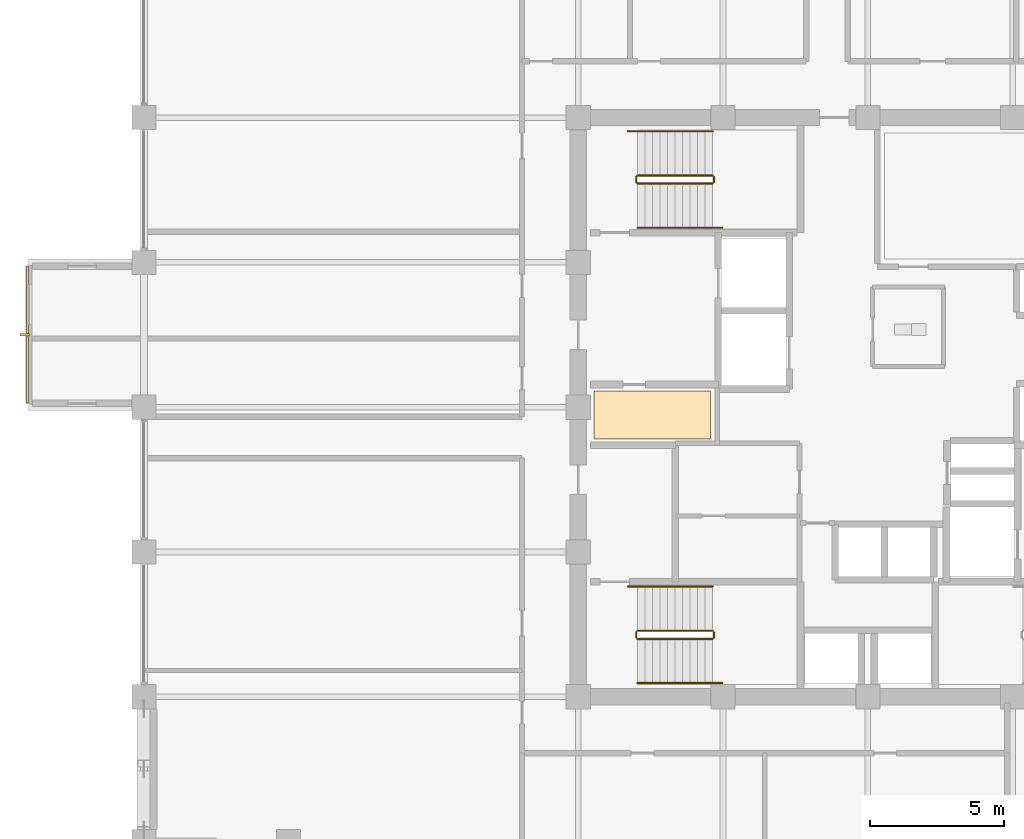
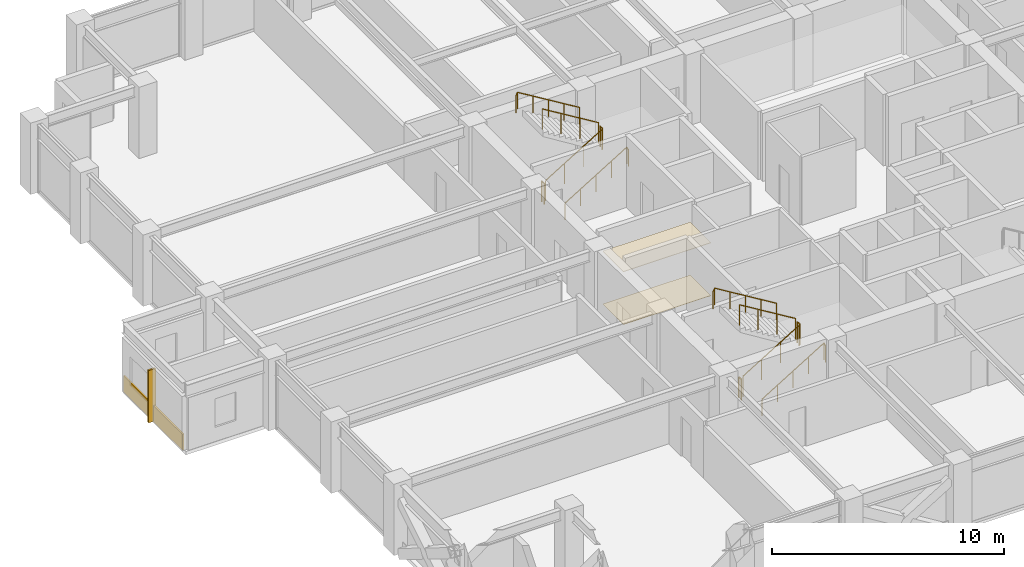
# One storey, part 26 of 28: 12 railings, 3 coverings, 1 shading device.
"""IFC4 building model written with IfcOpenShell, lengths in metres."""

from ifc_helpers import new_model, si_unit, direction, frame, origin, origin_2d, place, context, subcontext, project, spatial, polyline, rectangle, circle, outline, extrude, material, layer, layer_set, type_object, element, save


model = new_model("IFC4")

# Units and contexts
model_context = context("Model", 3, precision=1e-05, world=origin(), true_north=direction((0.0, 1.0)))
body_context = subcontext(model_context, "Body", "Model", "MODEL_VIEW")
ifc_project = project(units=[si_unit("LENGTHUNIT", "METRE"), si_unit("AREAUNIT", "SQUARE_METRE"), si_unit("VOLUMEUNIT", "CUBIC_METRE"), si_unit("PLANEANGLEUNIT", "RADIAN"), si_unit("MASSUNIT", "GRAM", prefix="KILO")], contexts=[model_context])

# Site, building, storey
site_placement = place(None, origin())
site = spatial("IfcSite", under=ifc_project, at=site_placement, CompositionType="ELEMENT")
building_placement = place(site_placement, origin())
building = spatial("IfcBuilding", under=site, at=building_placement, Name="Surkhivell Harbour Commons", CompositionType="ELEMENT")
storey_placement = place(building_placement, frame((0.0, 0.0, 178.5)))
storey = spatial("IfcBuildingStorey", under=building, at=storey_placement, Name="L46", CompositionType="ELEMENT", Elevation=178.5)

# Coverings
ifc_material_1 = material(Name="Perforated acoustic mineral-fibre ceiling tile", Category="other")
ifc_layer_1 = layer(ifc_material_1, 0.02490234375)
ifc_layer_set_1 = layer_set([ifc_layer_1], Name="Perforated acoustic mineral-fibre ceiling tile")
covering_type_1 = type_object("IfcCoveringType", Name="COV-CEIL-AC", PredefinedType="CEILING", material=ifc_layer_set_1)
covering_1_placement = place(storey_placement, frame((0.0, 0.0, 2.77490234375)))
element("IfcCovering", 1, at=covering_1_placement, inside=storey, type_object=covering_type_1, Name="L46 Suspended Acoustic Ceiling 1", PredefinedType="CEILING", context=body_context, shape_type="SweptSolid", body=[
    extrude(outline(polyline([(-10.219970703125, -1.179931640625), (-5.8701171875, -1.179931640625), (-5.8701171875, 0.60009765625), (-10.219970703125, 0.60009765625), (-10.219970703125, -1.179931640625)])), origin(), (0.0, 0.0, 1.0), 0.025146484375),
])
ifc_material_2 = material(Name="Saffron-gold enamelled aluminium cassette panel", Category="aluminium")
ifc_layer_2 = layer(ifc_material_2, 0.070068359375)
ifc_layer_set_2 = layer_set([ifc_layer_2], Name="Saffron-gold enamelled aluminium cassette panel")
covering_type_2 = type_object("IfcCoveringType", Name="COV-CLAD-SAF", PredefinedType="CLADDING", material=ifc_layer_set_2)
covering_2_placement = place(storey_placement, frame((-31.340087890625, 2.699951171875, 0.0), z_axis=(0.0, 0.0, 1.0), x_axis=(1.0, 0.0, 0.0)))
element("IfcCovering", 2, at=covering_2_placement, inside=storey, type_object=covering_type_2, Name="L46 Coloured-Panel Box Spandrel Cassette 02", PredefinedType="CLADDING", context=body_context, shape_type="SweptSolid", body=[
    extrude(rectangle(XDim=0.080078125, YDim=5.10009765625, at=origin_2d()), origin(), (0.0, 0.0, 1.0), 0.840087890625),
])
ifc_material_3 = material(Name="Engineered acoustic oak timber flooring", Category="wood")
ifc_layer_3 = layer(ifc_material_3, 0.02001953125)
ifc_layer_set_3 = layer_set([ifc_layer_3], Name="Engineered acoustic oak timber flooring")
covering_type_3 = type_object("IfcCoveringType", Name="COV-FLR-TIM", PredefinedType="FLOORING", material=ifc_layer_set_3)
covering_3_placement = place(storey_placement, origin())
element("IfcCovering", 3, at=covering_3_placement, inside=storey, type_object=covering_type_3, Name="L46 Interior Floor Finish 1", PredefinedType="FLOORING", context=body_context, shape_type="SweptSolid", body=[
    extrude(outline(polyline([(-10.219970703125, -1.179931640625), (-5.8701171875, -1.179931640625), (-5.8701171875, 0.60009765625), (-10.219970703125, 0.60009765625), (-10.219970703125, -1.179931640625)])), origin(), (0.0, 0.0, 1.0), 0.02001953125),
])

# Railings
ifc_material_4 = material(Name="Galvanised and painted steel S355 guard rail", Category="steel")
railing_type_1 = type_object("IfcRailingType", Name="RAL-ST-GRD1100", PredefinedType="GUARDRAIL", material=ifc_material_4)
railing_1_placement = place(storey_placement, frame((-8.590087890625, 8.340087890625, 0.17041015625)))
element("IfcRailing", 4, at=railing_1_placement, inside=storey, type_object=railing_type_1, Name="L46 ST1 stair guard 1", PredefinedType="GUARDRAIL", context=body_context, shape_type="SweptSolid", body=[
    extrude(circle(Radius=0.02392578125, at=origin_2d()), frame((0.0, 0.0, 1.076171875), z_axis=(0.854169791009, 0.0, 0.51999420009), x_axis=(0.0, 1.0, 0.0)), (0.0, 0.0, 1.0), 3.278076171875),
    extrude(circle(Radius=0.02099609375, at=origin_2d()), origin(), (0.0, 0.0, 1.0), 1.052001953125),
    extrude(circle(Radius=0.02099609375, at=origin_2d()), frame((0.933349609375, 0.0, 0.568115234375)), (0.0, 0.0, 1.0), 1.052001953125),
    extrude(circle(Radius=0.02099609375, at=origin_2d()), frame((1.86669921875, 0.0, 1.136474609375)), (0.0, 0.0, 1.0), 1.052001953125),
    extrude(circle(Radius=0.02099609375, at=origin_2d()), frame((2.800048828125, 0.0, 1.70458984375)), (0.0, 0.0, 1.0), 1.052001953125),
])
railing_2_placement = place(storey_placement, frame((-5.739990234375, 8.389892578125, 1.875)))
element("IfcRailing", 5, at=railing_2_placement, inside=storey, type_object=railing_type_1, Name="L46 ST1 stair guard 2", PredefinedType="GUARDRAIL", context=body_context, shape_type="SweptSolid", body=[
    extrude(circle(Radius=0.02392578125, at=origin_2d()), frame((0.0, 0.0, 1.076171875), z_axis=(0.0, 1.0, 0.0), x_axis=(-1.0, 0.0, 0.0)), (0.0, 0.0, 1.0), 0.2001953125),
    extrude(circle(Radius=0.02099609375, at=origin_2d()), origin(), (0.0, 0.0, 1.0), 1.052001953125),
    extrude(circle(Radius=0.02099609375, at=origin_2d()), frame((0.0, 0.2001953125, 0.0)), (0.0, 0.0, 1.0), 1.052001953125),
])
railing_3_placement = place(storey_placement, frame((-5.7900390625, 8.639892578125, 2.04541015625)))
element("IfcRailing", 6, at=railing_3_placement, inside=storey, type_object=railing_type_1, Name="L46 ST1 stair guard 3", PredefinedType="GUARDRAIL", context=body_context, shape_type="SweptSolid", body=[
    extrude(circle(Radius=0.02392578125, at=origin_2d()), frame((0.0, 0.0, 1.076171875), z_axis=(-0.854169791009, 0.0, 0.51999420009), x_axis=(0.0, -1.0, 0.0)), (0.0, 0.0, 1.0), 3.278076171875),
    extrude(circle(Radius=0.02099609375, at=origin_2d()), origin(), (0.0, 0.0, 1.0), 1.052001953125),
    extrude(circle(Radius=0.02099609375, at=origin_2d()), frame((-0.933349609375, 0.0, 0.568115234375)), (0.0, 0.0, 1.0), 1.052001953125),
    extrude(circle(Radius=0.02099609375, at=origin_2d()), frame((-1.86669921875, 0.0, 1.136474609375)), (0.0, 0.0, 1.0), 1.052001953125),
    extrude(circle(Radius=0.02099609375, at=origin_2d()), frame((-2.800048828125, 0.0, 1.70458984375)), (0.0, 0.0, 1.0), 1.052001953125),
])
railing_4_placement = place(storey_placement, frame((-8.639892578125, 8.389892578125, 0.0)))
element("IfcRailing", 7, at=railing_4_placement, inside=storey, type_object=railing_type_1, Name="L46 ST1 stair guard 4", PredefinedType="GUARDRAIL", context=body_context, shape_type="SweptSolid", body=[
    extrude(circle(Radius=0.02392578125, at=origin_2d()), frame((0.0, 0.0, 1.076171875), z_axis=(0.0, 1.0, 0.0), x_axis=(-1.0, 0.0, 0.0)), (0.0, 0.0, 1.0), 0.2001953125),
    extrude(circle(Radius=0.02099609375, at=origin_2d()), origin(), (0.0, 0.0, 1.0), 1.052001953125),
    extrude(circle(Radius=0.02099609375, at=origin_2d()), frame((0.0, 0.2001953125, 0.0)), (0.0, 0.0, 1.0), 1.052001953125),
])
railing_5_placement = place(storey_placement, frame((-8.590087890625, -8.639892578125, 0.17041015625)))
element("IfcRailing", 8, at=railing_5_placement, inside=storey, type_object=railing_type_1, Name="L46 ST3 stair guard 1", PredefinedType="GUARDRAIL", context=body_context, shape_type="SweptSolid", body=[
    extrude(circle(Radius=0.02392578125, at=origin_2d()), frame((0.0, 0.0, 1.076171875), z_axis=(0.854169791009, 0.0, 0.51999420009), x_axis=(0.0, 1.0, 0.0)), (0.0, 0.0, 1.0), 3.278076171875),
    extrude(circle(Radius=0.02099609375, at=origin_2d()), origin(), (0.0, 0.0, 1.0), 1.052001953125),
    extrude(circle(Radius=0.02099609375, at=origin_2d()), frame((0.933349609375, 0.0, 0.568115234375)), (0.0, 0.0, 1.0), 1.052001953125),
    extrude(circle(Radius=0.02099609375, at=origin_2d()), frame((1.86669921875, 0.0, 1.136474609375)), (0.0, 0.0, 1.0), 1.052001953125),
    extrude(circle(Radius=0.02099609375, at=origin_2d()), frame((2.800048828125, 0.0, 1.70458984375)), (0.0, 0.0, 1.0), 1.052001953125),
])
railing_6_placement = place(storey_placement, frame((-5.739990234375, -8.590087890625, 1.875)))
element("IfcRailing", 9, at=railing_6_placement, inside=storey, type_object=railing_type_1, Name="L46 ST3 stair guard 2", PredefinedType="GUARDRAIL", context=body_context, shape_type="SweptSolid", body=[
    extrude(circle(Radius=0.02392578125, at=origin_2d()), frame((0.0, 0.0, 1.076171875), z_axis=(0.0, 1.0, 0.0), x_axis=(-1.0, 0.0, 0.0)), (0.0, 0.0, 1.0), 0.2001953125),
    extrude(circle(Radius=0.02099609375, at=origin_2d()), origin(), (0.0, 0.0, 1.0), 1.052001953125),
    extrude(circle(Radius=0.02099609375, at=origin_2d()), frame((0.0, 0.2001953125, 0.0)), (0.0, 0.0, 1.0), 1.052001953125),
])
railing_7_placement = place(storey_placement, frame((-5.7900390625, -8.340087890625, 2.04541015625)))
element("IfcRailing", 10, at=railing_7_placement, inside=storey, type_object=railing_type_1, Name="L46 ST3 stair guard 3", PredefinedType="GUARDRAIL", context=body_context, shape_type="SweptSolid", body=[
    extrude(circle(Radius=0.02392578125, at=origin_2d()), frame((0.0, 0.0, 1.076171875), z_axis=(-0.854169791009, 0.0, 0.51999420009), x_axis=(0.0, -1.0, 0.0)), (0.0, 0.0, 1.0), 3.278076171875),
    extrude(circle(Radius=0.02099609375, at=origin_2d()), origin(), (0.0, 0.0, 1.0), 1.052001953125),
    extrude(circle(Radius=0.02099609375, at=origin_2d()), frame((-0.933349609375, 0.0, 0.568115234375)), (0.0, 0.0, 1.0), 1.052001953125),
    extrude(circle(Radius=0.02099609375, at=origin_2d()), frame((-1.86669921875, 0.0, 1.136474609375)), (0.0, 0.0, 1.0), 1.052001953125),
    extrude(circle(Radius=0.02099609375, at=origin_2d()), frame((-2.800048828125, 0.0, 1.70458984375)), (0.0, 0.0, 1.0), 1.052001953125),
])
railing_8_placement = place(storey_placement, frame((-8.639892578125, -8.590087890625, 0.0)))
element("IfcRailing", 11, at=railing_8_placement, inside=storey, type_object=railing_type_1, Name="L46 ST3 stair guard 4", PredefinedType="GUARDRAIL", context=body_context, shape_type="SweptSolid", body=[
    extrude(circle(Radius=0.02392578125, at=origin_2d()), frame((0.0, 0.0, 1.076171875), z_axis=(0.0, 1.0, 0.0), x_axis=(-1.0, 0.0, 0.0)), (0.0, 0.0, 1.0), 0.2001953125),
    extrude(circle(Radius=0.02099609375, at=origin_2d()), origin(), (0.0, 0.0, 1.0), 1.052001953125),
    extrude(circle(Radius=0.02099609375, at=origin_2d()), frame((0.0, 0.2001953125, 0.0)), (0.0, 0.0, 1.0), 1.052001953125),
])
ifc_material_5 = material(Name="Brushed stainless steel S355 handrail", Category="steel")
railing_type_2 = type_object("IfcRailingType", Name="RAL-ST-HND900", PredefinedType="HANDRAIL", material=ifc_material_5)
railing_9_placement = place(storey_placement, frame((-8.590087890625, 6.68994140625, 0.17041015625)))
element("IfcRailing", 12, at=railing_9_placement, inside=storey, type_object=railing_type_2, Name="L46 ST1 stair handrail 1", PredefinedType="HANDRAIL", context=body_context, shape_type="SweptSolid", body=[
    extrude(circle(Radius=0.02392578125, at=origin_2d()), frame((0.0, 0.0, 0.8759765625), z_axis=(0.854177636135, 0.0, 0.519981313056), x_axis=(0.0, 1.0, 0.0)), (0.0, 0.0, 1.0), 3.60595703125),
    extrude(circle(Radius=0.02392578125, at=origin_2d()), frame((3.080078125, 0.0, 2.7509765625), z_axis=(0.425297416671, 0.0, -0.905053648892), x_axis=(0.0, 1.0, 0.0)), (0.0, 0.0, 1.0), 0.188232421875),
    extrude(circle(Radius=0.02099609375, at=origin_2d()), origin(), (0.0, 0.0, 1.0), 0.851806640625),
    extrude(circle(Radius=0.02099609375, at=origin_2d()), frame((0.77001953125, 0.0, 0.46875)), (0.0, 0.0, 1.0), 0.851806640625),
    extrude(circle(Radius=0.02099609375, at=origin_2d()), frame((1.5400390625, 0.0, 0.9375)), (0.0, 0.0, 1.0), 0.851806640625),
    extrude(circle(Radius=0.02099609375, at=origin_2d()), frame((2.31005859375, 0.0, 1.40625)), (0.0, 0.0, 1.0), 0.851806640625),
    extrude(circle(Radius=0.02099609375, at=origin_2d()), frame((3.080078125, 0.0, 1.875)), (0.0, 0.0, 1.0), 0.851806640625),
    extrude(circle(Radius=0.02099609375, at=origin_2d()), frame((3.16015625, 0.0, 1.70458984375)), (0.0, 0.0, 1.0), 0.851806640625),
])
railing_10_placement = place(storey_placement, frame((-5.7900390625, 10.2900390625, 2.04541015625)))
element("IfcRailing", 13, at=railing_10_placement, inside=storey, type_object=railing_type_2, Name="L46 ST1 stair handrail 2", PredefinedType="HANDRAIL", context=body_context, shape_type="SweptSolid", body=[
    extrude(circle(Radius=0.02392578125, at=origin_2d()), frame((0.0, 0.0, 0.8759765625), z_axis=(-0.854177636135, 0.0, 0.519981313056), x_axis=(0.0, -1.0, 0.0)), (0.0, 0.0, 1.0), 3.60595703125),
    extrude(circle(Radius=0.02392578125, at=origin_2d()), frame((-3.080078125, 0.0, 2.7509765625), z_axis=(-0.424234432967, 0.0, -0.905552398199), x_axis=(0.0, -1.0, 0.0)), (0.0, 0.0, 1.0), 0.188232421875),
    extrude(circle(Radius=0.02099609375, at=origin_2d()), origin(), (0.0, 0.0, 1.0), 0.851806640625),
    extrude(circle(Radius=0.02099609375, at=origin_2d()), frame((-0.77001953125, 0.0, 0.46875)), (0.0, 0.0, 1.0), 0.851806640625),
    extrude(circle(Radius=0.02099609375, at=origin_2d()), frame((-1.5400390625, 0.0, 0.9375)), (0.0, 0.0, 1.0), 0.851806640625),
    extrude(circle(Radius=0.02099609375, at=origin_2d()), frame((-2.31005859375, 0.0, 1.40625)), (0.0, 0.0, 1.0), 0.851806640625),
    extrude(circle(Radius=0.02099609375, at=origin_2d()), frame((-3.080078125, 0.0, 1.875)), (0.0, 0.0, 1.0), 0.851806640625),
    extrude(circle(Radius=0.02099609375, at=origin_2d()), frame((-3.159912109375, 0.0, 1.70458984375)), (0.0, 0.0, 1.0), 0.851806640625),
])
railing_11_placement = place(storey_placement, frame((-8.590087890625, -10.2900390625, 0.17041015625)))
element("IfcRailing", 14, at=railing_11_placement, inside=storey, type_object=railing_type_2, Name="L46 ST3 stair handrail 1", PredefinedType="HANDRAIL", context=body_context, shape_type="SweptSolid", body=[
    extrude(circle(Radius=0.02392578125, at=origin_2d()), frame((0.0, 0.0, 0.8759765625), z_axis=(0.854177636135, 0.0, 0.519981313056), x_axis=(0.0, 1.0, 0.0)), (0.0, 0.0, 1.0), 3.60595703125),
    extrude(circle(Radius=0.02392578125, at=origin_2d()), frame((3.080078125, 0.0, 2.7509765625), z_axis=(0.425297416671, 0.0, -0.905053648892), x_axis=(0.0, 1.0, 0.0)), (0.0, 0.0, 1.0), 0.188232421875),
    extrude(circle(Radius=0.02099609375, at=origin_2d()), origin(), (0.0, 0.0, 1.0), 0.851806640625),
    extrude(circle(Radius=0.02099609375, at=origin_2d()), frame((0.77001953125, 0.0, 0.46875)), (0.0, 0.0, 1.0), 0.851806640625),
    extrude(circle(Radius=0.02099609375, at=origin_2d()), frame((1.5400390625, 0.0, 0.9375)), (0.0, 0.0, 1.0), 0.851806640625),
    extrude(circle(Radius=0.02099609375, at=origin_2d()), frame((2.31005859375, 0.0, 1.40625)), (0.0, 0.0, 1.0), 0.851806640625),
    extrude(circle(Radius=0.02099609375, at=origin_2d()), frame((3.080078125, 0.0, 1.875)), (0.0, 0.0, 1.0), 0.851806640625),
    extrude(circle(Radius=0.02099609375, at=origin_2d()), frame((3.16015625, 0.0, 1.70458984375)), (0.0, 0.0, 1.0), 0.851806640625),
])
railing_12_placement = place(storey_placement, frame((-5.7900390625, -6.68994140625, 2.04541015625)))
element("IfcRailing", 15, at=railing_12_placement, inside=storey, type_object=railing_type_2, Name="L46 ST3 stair handrail 2", PredefinedType="HANDRAIL", context=body_context, shape_type="SweptSolid", body=[
    extrude(circle(Radius=0.02392578125, at=origin_2d()), frame((0.0, 0.0, 0.8759765625), z_axis=(-0.854177636135, 0.0, 0.519981313056), x_axis=(0.0, -1.0, 0.0)), (0.0, 0.0, 1.0), 3.60595703125),
    extrude(circle(Radius=0.02392578125, at=origin_2d()), frame((-3.080078125, 0.0, 2.7509765625), z_axis=(-0.424234432967, 0.0, -0.905552398199), x_axis=(0.0, -1.0, 0.0)), (0.0, 0.0, 1.0), 0.188232421875),
    extrude(circle(Radius=0.02099609375, at=origin_2d()), origin(), (0.0, 0.0, 1.0), 0.851806640625),
    extrude(circle(Radius=0.02099609375, at=origin_2d()), frame((-0.77001953125, 0.0, 0.46875)), (0.0, 0.0, 1.0), 0.851806640625),
    extrude(circle(Radius=0.02099609375, at=origin_2d()), frame((-1.5400390625, 0.0, 0.9375)), (0.0, 0.0, 1.0), 0.851806640625),
    extrude(circle(Radius=0.02099609375, at=origin_2d()), frame((-2.31005859375, 0.0, 1.40625)), (0.0, 0.0, 1.0), 0.851806640625),
    extrude(circle(Radius=0.02099609375, at=origin_2d()), frame((-3.080078125, 0.0, 1.875)), (0.0, 0.0, 1.0), 0.851806640625),
    extrude(circle(Radius=0.02099609375, at=origin_2d()), frame((-3.159912109375, 0.0, 1.70458984375)), (0.0, 0.0, 1.0), 0.851806640625),
])

# Shading device
ifc_material_6 = material(Name="Anodised pale-metal aluminium solar fin", Category="aluminium")
shading_device_type = type_object("IfcShadingDeviceType", Name="SHD-FIN-VERT", PredefinedType="USERDEFINED", material=ifc_material_6)
shading_device_placement = place(storey_placement, frame((-31.43994140625, 2.699951171875, 0.0048828125), z_axis=(0.0, 0.0, 1.0), x_axis=(1.0, 0.0, 0.0)))
element("IfcShadingDevice", 16, at=shading_device_placement, inside=storey, type_object=shading_device_type, Name="L46 Coloured-Box Solar Fin 02", ObjectType="FIN", PredefinedType="USERDEFINED", context=body_context, shape_type="SweptSolid", body=[
    extrude(rectangle(XDim=0.360107421875, YDim=0.090087890625, at=origin_2d()), origin(), (0.0, 0.0, 1.0), 2.75),
])

save(model, "model.ifc")
